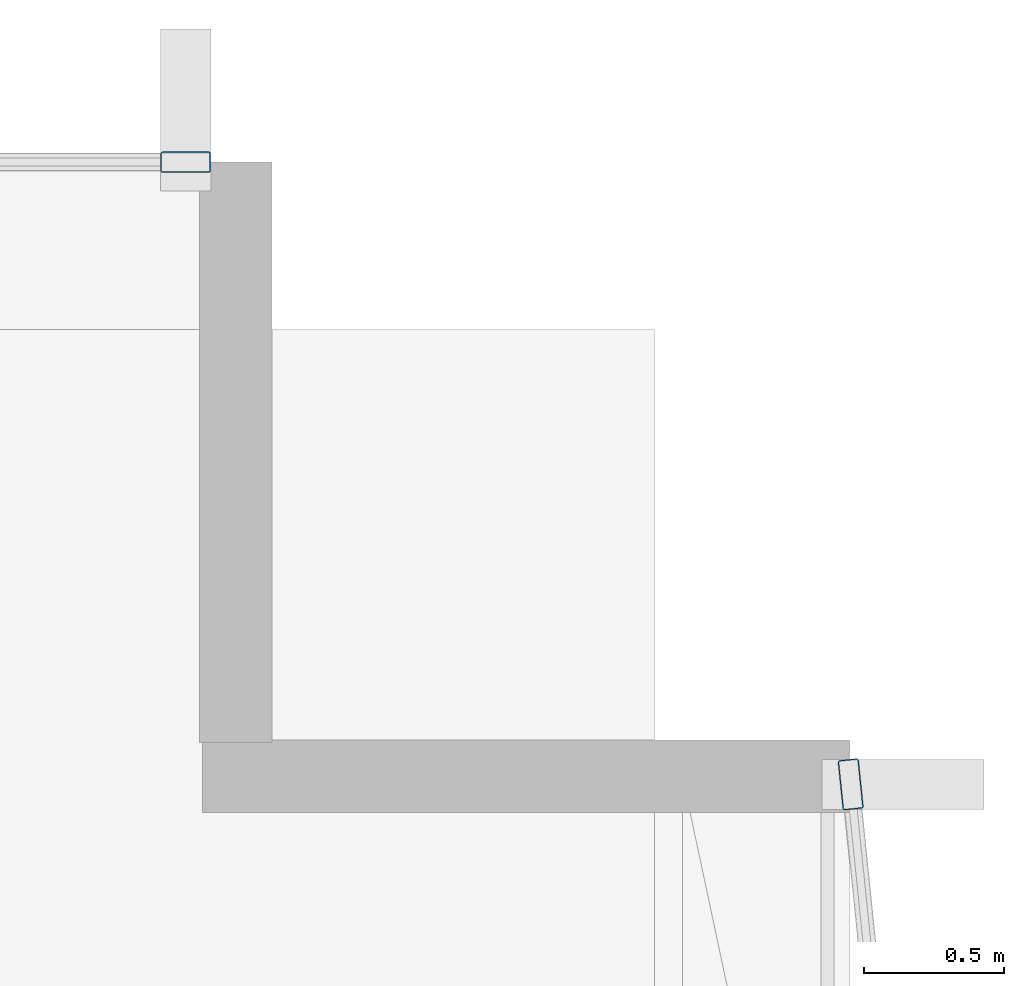
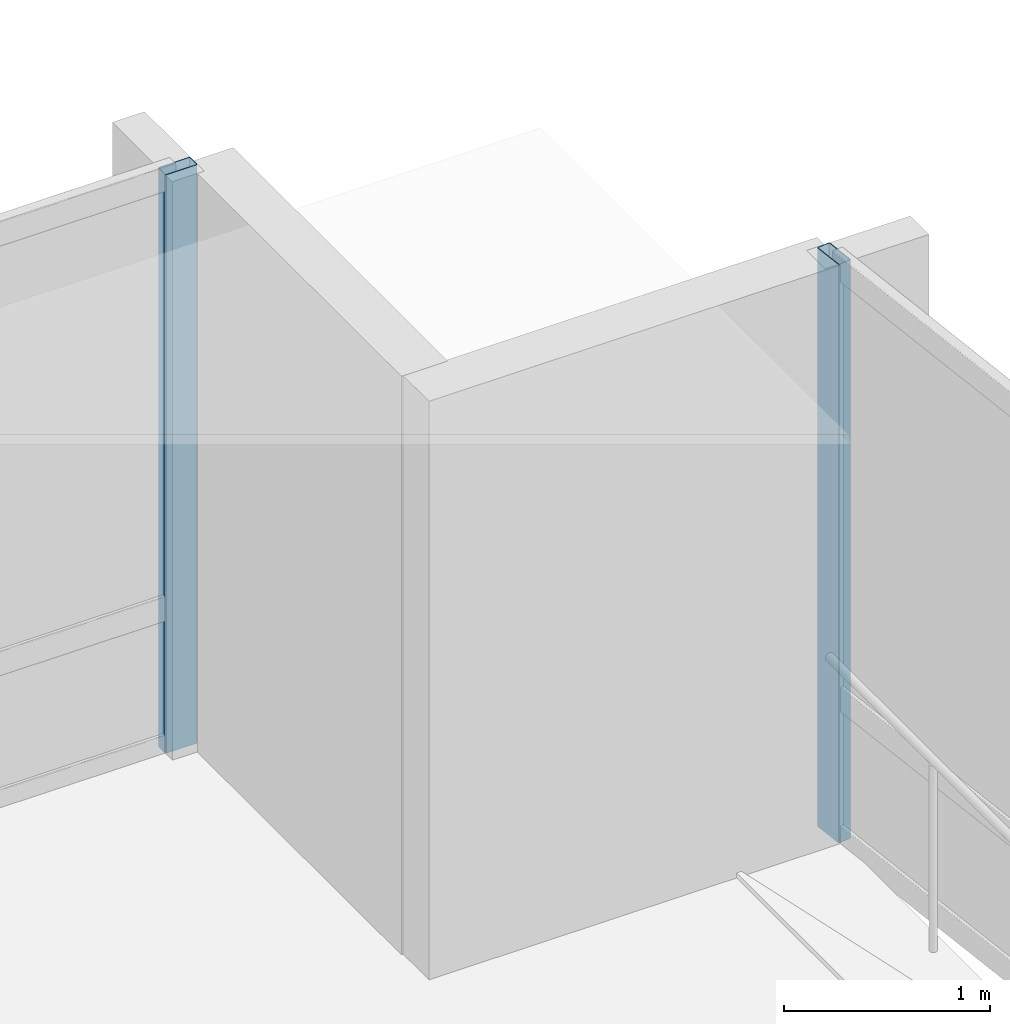
# One storey, part 17 of 34: 2 members, 2 elements without a shape of their own.
"""IFC4 building model written with IfcOpenShell, lengths in metres."""

from ifc_helpers import new_model, si_unit, direction, frame, origin, origin_2d, place, context, subcontext, project, spatial, hollow_rectangle, extrude, material, layer, layer_set, material_profile, profile_set, type_object, element, aggregate, save


model = new_model("IFC4")

# Units and contexts
model_context = context("Model", 3, precision=1e-05, world=origin(), true_north=direction((0.0, 1.0)))
body_context = subcontext(model_context, "Body", "Model", "MODEL_VIEW")
ifc_project = project(units=[si_unit("LENGTHUNIT", "METRE"), si_unit("AREAUNIT", "SQUARE_METRE"), si_unit("VOLUMEUNIT", "CUBIC_METRE"), si_unit("PLANEANGLEUNIT", "RADIAN"), si_unit("MASSUNIT", "GRAM", prefix="KILO")], contexts=[model_context])

# Site, building, storey
site_placement = place(None, origin())
site = spatial("IfcSite", under=ifc_project, at=site_placement, CompositionType="ELEMENT")
building_placement = place(site_placement, origin())
building = spatial("IfcBuilding", under=site, at=building_placement, Name="Solvaryn Broadcast Tower", CompositionType="ELEMENT")
storey_placement = place(building_placement, frame((0.0, 0.0, 61.89990234375)))
storey = spatial("IfcBuildingStorey", under=building, at=storey_placement, Name="L14", CompositionType="ELEMENT", Elevation=61.89990234375)

# Curtain wall, member
ifc_material_1 = material(Name="Aluminium and Terracotta Unitised Curtain Wall", Category="masonry")
ifc_layer = layer(ifc_material_1, 0.199951171875)
ifc_layer_set = layer_set([ifc_layer], Name="CW-SYS2-LOWMID")
curtain_wall_type = type_object("IfcCurtainWallType", Name="CW-SYS2-LOWMID", PredefinedType="NOTDEFINED", material=ifc_layer_set)
curtain_wall_1_placement = place(storey_placement, origin())
curtain_wall_1 = element("IfcCurtainWall", 1, at=curtain_wall_1_placement, inside=storey, type_object=curtain_wall_type, Name="L14 Curtain Wall ET1", PredefinedType="NOTDEFINED")
ifc_material_2 = material(Name="Anodised Aluminium 6063-T6", Category="aluminium")
ifc_material_profile = material_profile(ifc_material_2, hollow_rectangle(XDim=0.074951171875, YDim=0.179931640625, WallThickness=0.00390625, InnerFilletRadius=0.00390625, OuterFilletRadius=0.008056640625, at=origin_2d()))
ifc_profile_set = profile_set([ifc_material_profile], Name="Anodised Aluminium 6063-T6")
member_type = type_object("IfcMemberType", Name="CW-MUL-180", PredefinedType="MULLION", material=ifc_profile_set)
member_1_placement = place(storey_placement, frame((63.003173828125, 24.770263671875, 0.0), z_axis=(0.0, 0.0, 1.0), x_axis=(0.99474329889, 0.10240004548, 0.0)))
member_1 = element("IfcMember", 2, at=member_1_placement, type_object=member_type, Name="CWS2 mullion 1", PredefinedType="MULLION", context=body_context, shape_type="SweptSolid", body=[
    extrude(hollow_rectangle(XDim=0.074951171875, YDim=0.179931640625, WallThickness=0.00390625, InnerFilletRadius=0.00390625, OuterFilletRadius=0.008056640625, at=origin_2d()), origin(), (0.0, 0.0, 1.0), 3.420166015625),
])
aggregate(curtain_wall_1, [member_1])

curtain_wall_2_placement = place(storey_placement, origin())
curtain_wall_2 = element("IfcCurtainWall", 3, at=curtain_wall_2_placement, inside=storey, type_object=curtain_wall_type, Name="L14 Curtain Wall IH", PredefinedType="NOTDEFINED")
member_2_placement = place(storey_placement, frame((60.6201171875, 27.0, 0.0), z_axis=(0.0, 0.0, 1.0), x_axis=(0.0, 1.0, 0.0)))
member_2 = element("IfcMember", 4, at=member_2_placement, type_object=member_type, Name="CWS2 mullion 2", PredefinedType="MULLION", context=body_context, shape_type="SweptSolid", body=[
    extrude(hollow_rectangle(XDim=0.074951171875, YDim=0.179931640625, WallThickness=0.00390625, InnerFilletRadius=0.00390625, OuterFilletRadius=0.008056640625, at=origin_2d()), origin(), (0.0, 0.0, 1.0), 3.420166015625),
])
aggregate(curtain_wall_2, [member_2])

save(model, "model.ifc")
